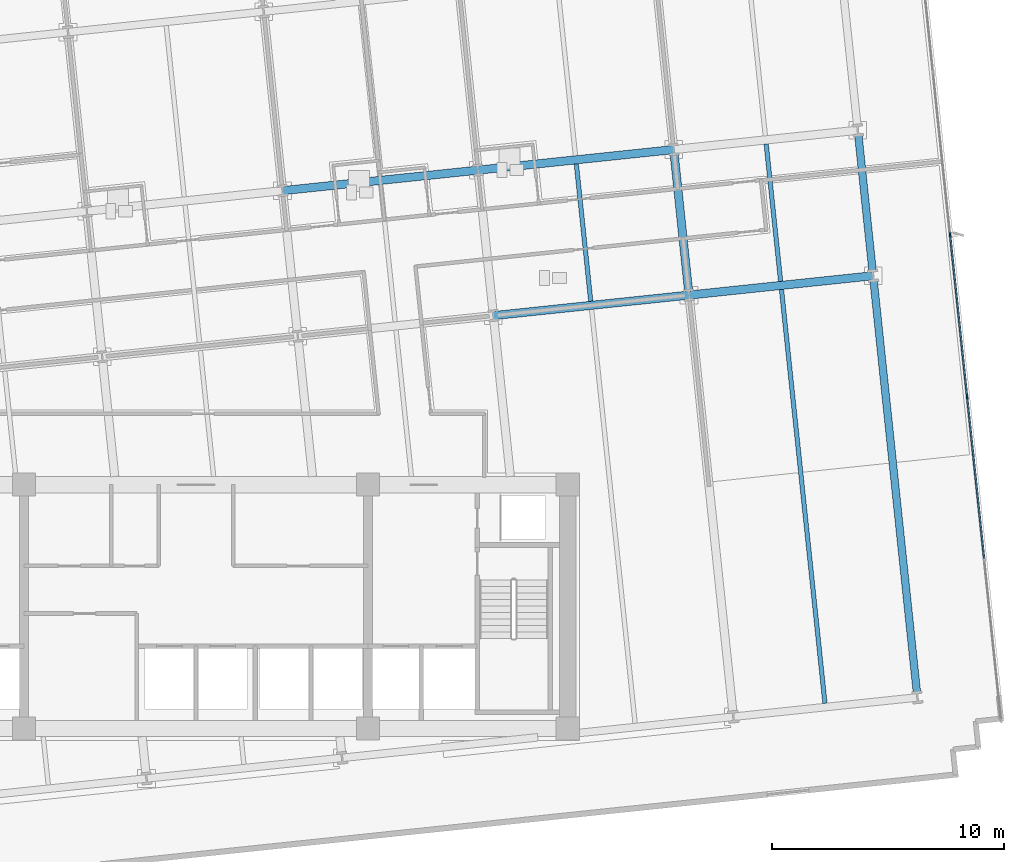
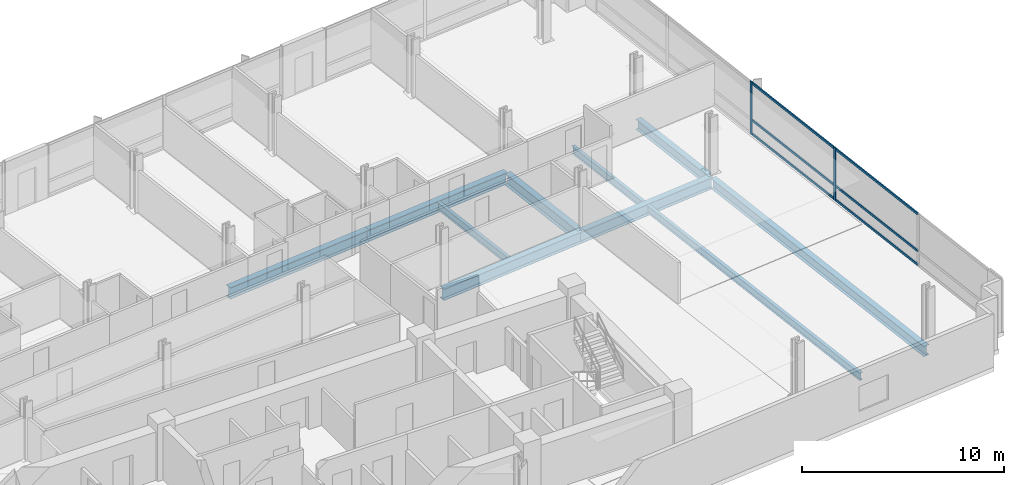
# One storey, part 5 of 17: 10 beams, 8 members, 1 element without a shape of its own.
"""IFC4 building model written with IfcOpenShell, lengths in metres."""

import ifcopenshell
import ifcopenshell.guid

model = None  # the IFC model being written
_history = None  # IfcOwnerHistory: only IFC2X3 demands one
_inside = {}  # id of a spatial element -> (the spatial element, [elements in it])
_under = {}  # id of a project, library or spatial element -> (it, [spatial elements below it])
_declared = {}  # id of a project -> (the project, [libraries it declares])
_typed = {}  # id of a type object -> (the type object, [elements of that type])
_made_of = {}  # id of a material, layer set ... -> (it, [elements and type objects made of it])


def new_model(schema):
    """Start an empty IFC model of exactly this schema.

    Asked for "IFC4X3", IfcOpenShell would pick the latest addendum, in which some entities
    have other attributes; the version numbers below select the first issue.
    IFC2X3 requires an IfcOwnerHistory on every rooted entity: one is made here for all.
    """
    global model, _history
    if schema == "IFC4X3":
        model = ifcopenshell.file(schema_version=(4, 3, 0, 0))
    else:
        model = ifcopenshell.file(schema=schema)
    _inside.clear()
    _under.clear()
    _declared.clear()
    _typed.clear()
    _made_of.clear()
    _history = None
    if model.schema == "IFC2X3":
        org = make("IfcOrganization", Name="unknown")
        user = make(
            "IfcPersonAndOrganization",
            ThePerson=make("IfcPerson", FamilyName="unknown"),
            TheOrganization=org,
        )
        app = make(
            "IfcApplication",
            ApplicationDeveloper=org,
            Version="unknown",
            ApplicationFullName="unknown",
            ApplicationIdentifier="unknown",
        )
        _history = make(
            "IfcOwnerHistory",
            OwningUser=user,
            OwningApplication=app,
            ChangeAction="ADDED",
            CreationDate=0,
        )
    return model


def make(cls, **values):
    """One entity of the class cls with the attributes given. An attribute that is None is left unset."""
    return model.create_entity(
        cls, **{name: value for name, value in values.items() if value is not None}
    )


def rooted(cls, **values):
    """An entity with a GlobalId (a new one), such as an element, a storey or a relation."""
    return make(cls, GlobalId=ifcopenshell.guid.new(), OwnerHistory=_history, **values)


def si_unit(unit_type, name, prefix=None):
    """IfcSIUnit, for example si_unit("LENGTHUNIT", "METRE", prefix="MILLI")."""
    return make("IfcSIUnit", UnitType=unit_type, Prefix=prefix, Name=name)


def assignment(units):
    """IfcUnitAssignment: the units of a project."""
    return None if units is None else make("IfcUnitAssignment", Units=units)


def point(xyz):
    """IfcCartesianPoint."""
    return None if xyz is None else make("IfcCartesianPoint", Coordinates=xyz)


def direction(xyz):
    """IfcDirection."""
    return None if xyz is None else make("IfcDirection", DirectionRatios=xyz)


def frame(location, z_axis=None, x_axis=None):
    """IfcAxis2Placement3D, a coordinate frame: its origin and axes. An axis left out is left unset."""
    return make(
        "IfcAxis2Placement3D",
        Location=point(location),
        Axis=direction(z_axis),
        RefDirection=direction(x_axis),
    )


def frame_2d(location, x_axis=None):
    """IfcAxis2Placement2D, a coordinate frame in the plane: its origin and x axis."""
    return make(
        "IfcAxis2Placement2D", Location=point(location), RefDirection=direction(x_axis)
    )


def origin():
    """The frame at (0, 0, 0) with its axes left unset."""
    return frame((0.0, 0.0, 0.0))


def origin_2d():
    """The frame at (0, 0) in the plane with its x axis left unset."""
    return frame_2d((0.0, 0.0))


def place(relative_to, where):
    """IfcLocalPlacement: puts the frame where relative to a parent placement (None: the world)."""
    return make(
        "IfcLocalPlacement", PlacementRelTo=relative_to, RelativePlacement=where
    )


def context(
    kind, dimensions, precision=None, world=None, true_north=None, identifier=None
):
    """IfcGeometricRepresentationContext, for example the 3D "Model" context."""
    return make(
        "IfcGeometricRepresentationContext",
        ContextIdentifier=identifier,
        ContextType=kind,
        CoordinateSpaceDimension=dimensions,
        Precision=precision,
        WorldCoordinateSystem=world,
        TrueNorth=true_north,
    )


def subcontext(parent, identifier, kind, view, scale=None):
    """IfcGeometricRepresentationSubContext, for example "Body" below "Model"."""
    return make(
        "IfcGeometricRepresentationSubContext",
        ContextIdentifier=identifier,
        ContextType=kind,
        ParentContext=parent,
        TargetScale=scale,
        TargetView=view,
    )


def project(units=None, contexts=None):
    """IfcProject with its units and contexts."""
    return rooted(
        "IfcProject",
        Name="project",
        RepresentationContexts=contexts,
        UnitsInContext=assignment(units),
    )


def spatial(cls, under=None, at=None, **own):
    """A site, building, storey or space (cls), placed at a placement, below another one or the project."""
    s = rooted(cls, ObjectPlacement=at, **own)
    if under is not None:
        _under.setdefault(under.id(), (under, []))[1].append(s)
    return s


def profile(cls, at=None, kind="AREA", **sizes):
    """A parametric profile (cls). Its sizes go by their IFC names, for example OverallWidth=200.0."""
    return make(cls, ProfileType=kind, Position=at, **sizes)


def rectangle(**sizes):
    """IfcRectangleProfileDef."""
    return profile("IfcRectangleProfileDef", **sizes)


def i_section(**sizes):
    """IfcIShapeProfileDef."""
    return profile("IfcIShapeProfileDef", **sizes)


def extrude(swept, where, along, depth):
    """IfcExtrudedAreaSolid: the profile swept, set in the frame where, extruded along a direction by depth."""
    return make(
        "IfcExtrudedAreaSolid",
        SweptArea=swept,
        Position=where,
        ExtrudedDirection=direction(along),
        Depth=depth,
    )


def shape(context_of_items, identifier, shape_type, items):
    """IfcShapeRepresentation: the items that make up one representation, for example the "Body"."""
    return make(
        "IfcShapeRepresentation",
        ContextOfItems=context_of_items,
        RepresentationIdentifier=identifier,
        RepresentationType=shape_type,
        Items=items,
    )


def material(Name=None, Category=None):
    """IfcMaterial."""
    return make("IfcMaterial", Name=Name, Category=Category)


def material_profile(
    of_material, cross_section, Name=None, Category=None, Priority=None
):
    """IfcMaterialProfile: a cross section and its material."""
    return make(
        "IfcMaterialProfile",
        Name=Name,
        Material=of_material,
        Profile=cross_section,
        Priority=Priority,
        Category=Category,
    )


def profile_set(profiles, Name=None, composite=None):
    """IfcMaterialProfileSet."""
    return make(
        "IfcMaterialProfileSet",
        Name=Name,
        MaterialProfiles=profiles,
        CompositeProfile=composite,
    )


def made_of(thing, what):
    """Note that an element or type object is made of a material, layer set ...; save() writes the relation."""
    if what is not None:
        _made_of.setdefault(what.id(), (what, []))[1].append(thing)
    return thing


def type_object(cls, material=None, **own):
    """A type object (cls), such as IfcWallType, which elements share."""
    return made_of(rooted(cls, **own), material)


def element(
    cls,
    number,
    at=None,
    inside=None,
    cuts=None,
    type_object=None,
    material=None,
    context=None,
    identifier="Body",
    shape_type=None,
    held_by="IfcProductDefinitionShape",
    body=None,
    shapes=None,
    **own,
):
    """One element of the class cls, such as IfcWall. Its Tag is "e" and its number.

    at: its placement. inside: the storey or other place that contains it. cuts: it is an
    opening in that element (IfcRelVoidsElement). A single representation is given by context,
    identifier, shape_type and body (its items); several are given by shapes. held_by: the class
    of the entity that holds the representations. save() writes the other relations.
    """
    e = rooted(cls, Tag="e%d" % number, ObjectPlacement=at, **own)
    if body is not None:
        shapes = [shape(context, identifier, shape_type, body)]
    if shapes is not None:
        e.Representation = make(held_by, Representations=shapes)
    if inside is not None:
        _inside.setdefault(inside.id(), (inside, []))[1].append(e)
    if cuts is not None:
        rooted(
            "IfcRelVoidsElement", RelatingBuildingElement=cuts, RelatedOpeningElement=e
        )
    if type_object is not None:
        _typed.setdefault(type_object.id(), (type_object, []))[1].append(e)
    return made_of(e, material)


def aggregate(whole, parts):
    """IfcRelAggregates: a whole, such as a stair, and the parts it consists of."""
    return rooted("IfcRelAggregates", RelatingObject=whole, RelatedObjects=parts)


def save(model, path):
    """Write the relations noted so far, then the file.

    IfcRelAggregates (storeys below a building ...), IfcRelContainedInSpatialStructure (elements
    in a storey), IfcRelDefinesByType, IfcRelAssociatesMaterial and IfcRelDeclares: one each for
    every whole, place, type object, material and project.
    """
    for whole, parts in _under.values():
        aggregate(whole, parts)
    for where, things in _inside.values():
        rooted(
            "IfcRelContainedInSpatialStructure",
            RelatedElements=things,
            RelatingStructure=where,
        )
    for kind, things in _typed.values():
        rooted("IfcRelDefinesByType", RelatedObjects=things, RelatingType=kind)
    for what, things in _made_of.values():
        rooted("IfcRelAssociatesMaterial", RelatedObjects=things, RelatingMaterial=what)
    for by, libraries in _declared.values():
        rooted("IfcRelDeclares", RelatingContext=by, RelatedDefinitions=libraries)
    model.write(path)


model = new_model("IFC4")

# Units and contexts
model_context = context("Model", 3, precision=1e-05, world=origin(), true_north=direction((0.0, 1.0)))
body_context = subcontext(model_context, "Body", "Model", "MODEL_VIEW")
ifc_project = project(units=[si_unit("LENGTHUNIT", "METRE"), si_unit("AREAUNIT", "SQUARE_METRE"), si_unit("VOLUMEUNIT", "CUBIC_METRE"), si_unit("PLANEANGLEUNIT", "RADIAN"), si_unit("MASSUNIT", "GRAM", prefix="KILO")], contexts=[model_context])

# Site, building, storey
site_placement = place(None, origin())
site = spatial("IfcSite", under=ifc_project, at=site_placement, CompositionType="ELEMENT")
building_placement = place(site_placement, origin())
building = spatial("IfcBuilding", under=site, at=building_placement, Name="Solmavex Isthmus Hotel", CompositionType="ELEMENT")
storey_placement = place(building_placement, frame((0.0, 0.0, 116.699951171875)))
storey = spatial("IfcBuildingStorey", under=building, at=storey_placement, Name="L31", CompositionType="ELEMENT", Elevation=116.699951171875)

# Beams
ifc_material_1 = material(Name="Steel ASTM A992 Grade 50", Category="steel")
ifc_material_profile_1 = material_profile(ifc_material_1, i_section(OverallWidth=0.354736328125, OverallDepth=0.695556640625, WebThickness=0.015380859375, FlangeThickness=0.02490234375, FilletRadius=0.017822265625, at=origin_2d()), Name="W27X146")
ifc_profile_set_1 = profile_set([ifc_material_profile_1], Name="Steel ASTM A992 Grade 50")
beam_type_1 = type_object("IfcBeamType", Name="BM-BG-W27X146", PredefinedType="BEAM", material=ifc_profile_set_1)
beam_1_placement = place(storey_placement, frame((12.800048828125, 4.7734375, -0.607666015625), z_axis=(0.994521085209, 0.104536171134, 0.0), x_axis=(-0.104536171134, 0.994521085209, 0.0)))
element("IfcBeam", 1, at=beam_1_placement, inside=storey, type_object=beam_type_1, Name="Floor Girder L31-UG11", PredefinedType="BEAM", context=body_context, shape_type="SweptSolid", body=[
    extrude(i_section(OverallWidth=0.354736328125, OverallDepth=0.695556640625, WebThickness=0.015380859375, FlangeThickness=0.02490234375, FilletRadius=0.017822265625, at=origin_2d()), origin(), (0.0, 0.0, 1.0), 8.466064453125),
])
beam_2_placement = place(storey_placement, frame((21.2197265625, 5.658447265625, -0.607666015625), z_axis=(0.994523402738, 0.104514120609, 0.0), x_axis=(-0.104514120609, 0.994523402738, 0.0)))
element("IfcBeam", 2, at=beam_2_placement, inside=storey, type_object=beam_type_1, Name="Floor Girder L31-UG12", PredefinedType="BEAM", context=body_context, shape_type="SweptSolid", body=[
    extrude(i_section(OverallWidth=0.354736328125, OverallDepth=0.695556640625, WebThickness=0.015380859375, FlangeThickness=0.02490234375, FilletRadius=0.017822265625, at=origin_2d()), origin(), (0.0, 0.0, 1.0), 7.968017578125),
])
for number, where, z_axis, x_axis, name in (
    (3, (3.72216796875, 10.152099609375, -0.607666015625), (0.994524082861, 0.104507648572, 0.0), (-0.104507648572, 0.994524082861, 0.0), "Floor Girder L31-UG16"),
    (4, (12.141845703125, 11.036865234375, -0.607666015625), (0.994521085209, 0.104536171134, 0.0), (-0.104536171134, 0.994521085209, 0.0), "Floor Girder L31-UG17"),
):
    element("IfcBeam", number, at=place(storey_placement, frame(where, z_axis=z_axis, x_axis=x_axis)), inside=storey, type_object=beam_type_1, Name=name, PredefinedType="BEAM", context=body_context, shape_type="SweptSolid", body=[
        extrude(i_section(OverallWidth=0.354736328125, OverallDepth=0.695556640625, WebThickness=0.015380859375, FlangeThickness=0.02490234375, FilletRadius=0.017822265625, at=origin_2d()), origin(), (0.0, 0.0, 1.0), 8.466064453125),
    ])
beam_3_placement = place(storey_placement, frame((21.201171875, 5.834716796875, -0.607666015625), z_axis=(-0.104505160346, 0.994524344328, 0.0), x_axis=(-0.994524344328, -0.104505160346, 0.0)))
element("IfcBeam", 5, at=beam_3_placement, inside=storey, type_object=beam_type_1, Name="Floor Beam L31-VG44", PredefinedType="BEAM", context=body_context, shape_type="SweptSolid", body=[
    extrude(i_section(OverallWidth=0.354736328125, OverallDepth=0.695556640625, WebThickness=0.015380859375, FlangeThickness=0.02490234375, FilletRadius=0.017822265625, at=origin_2d()), origin(), (0.0, 0.0, 1.0), 5.943115234375),
])
ifc_material_profile_2 = material_profile(ifc_material_1, i_section(OverallWidth=0.1904296875, OverallDepth=0.456787109375, WebThickness=0.009033203125, FlangeThickness=0.014404296875, FilletRadius=0.0126953125, at=origin_2d()), Name="W18X50")
ifc_profile_set_2 = profile_set([ifc_material_profile_2], Name="Steel ASTM A992 Grade 50")
beam_type_2 = type_object("IfcBeamType", Name="BM-BJ-W18X50", PredefinedType="JOIST", material=ifc_profile_set_2)
beam_4_placement = place(storey_placement, frame((16.991455078125, 5.392333984375, -0.48828125), z_axis=(-0.104545790518, 0.994520074048, 0.0), x_axis=(-0.994520074048, -0.104545790518, 0.0)))
element("IfcBeam", 6, at=beam_4_placement, inside=storey, type_object=beam_type_2, Name="Secondary Floor Joist L31-J17", PredefinedType="JOIST", context=body_context, shape_type="SweptSolid", body=[
    extrude(i_section(OverallWidth=0.1904296875, OverallDepth=0.456787109375, WebThickness=0.009033203125, FlangeThickness=0.014404296875, FilletRadius=0.0126953125, at=origin_2d()), origin(), (0.0, 0.0, 1.0), 5.943115234375),
])
beam_5_placement = place(storey_placement, frame((27.072509765625, -11.912841796875, -0.48828125), z_axis=(-0.104530088192, 0.99452172458, 0.0), x_axis=(-0.99452172458, -0.104530088192, 0.0)))
element("IfcBeam", 7, at=beam_5_placement, inside=storey, type_object=beam_type_2, Name="Secondary Floor Joist L31-J19", PredefinedType="JOIST", context=body_context, shape_type="SweptSolid", body=[
    extrude(i_section(OverallWidth=0.1904296875, OverallDepth=0.456787109375, WebThickness=0.009033203125, FlangeThickness=0.014404296875, FilletRadius=0.0126953125, at=origin_2d()), origin(), (0.0, 0.0, 1.0), 17.909423828125),
])
beam_6_placement = place(storey_placement, frame((25.163330078125, 6.251220703125, -0.48828125), z_axis=(-0.104505160346, 0.994524344328, 0.0), x_axis=(-0.994524344328, -0.104505160346, 0.0)))
element("IfcBeam", 8, at=beam_6_placement, inside=storey, type_object=beam_type_2, Name="Secondary Floor Joist L31-J20", PredefinedType="JOIST", context=body_context, shape_type="SweptSolid", body=[
    extrude(i_section(OverallWidth=0.1904296875, OverallDepth=0.456787109375, WebThickness=0.009033203125, FlangeThickness=0.014404296875, FilletRadius=0.0126953125, at=origin_2d()), origin(), (0.0, 0.0, 1.0), 5.943115234375),
])
ifc_material_profile_3 = material_profile(ifc_material_1, i_section(OverallWidth=0.326416015625, OverallDepth=0.621826171875, WebThickness=0.015380859375, FlangeThickness=0.0244140625, FilletRadius=0.01513671875, at=origin_2d()), Name="W24X131")
ifc_profile_set_3 = profile_set([ifc_material_profile_3], Name="Steel ASTM A992 Grade 50")
beam_type_3 = type_object("IfcBeamType", Name="BM-SP-W24X131", PredefinedType="SPANDREL", material=ifc_profile_set_3)
beam_7_placement = place(storey_placement, frame((31.03466796875, -11.496337890625, -0.57080078125), z_axis=(-0.104530088192, 0.99452172458, 0.0), x_axis=(-0.99452172458, -0.104530088192, 0.0)))
element("IfcBeam", 9, at=beam_7_placement, inside=storey, type_object=beam_type_3, Name="Floor Beam L31-VG46", PredefinedType="SPANDREL", context=body_context, shape_type="SweptSolid", body=[
    extrude(i_section(OverallWidth=0.326416015625, OverallDepth=0.621826171875, WebThickness=0.015380859375, FlangeThickness=0.0244140625, FilletRadius=0.01513671875, at=origin_2d()), origin(), (0.0, 0.0, 1.0), 17.909423828125),
])
beam_8_placement = place(storey_placement, frame((29.12548828125, 6.667724609375, -0.57080078125), z_axis=(-0.104505160346, 0.994524344328, 0.0), x_axis=(-0.994524344328, -0.104505160346, 0.0)))
element("IfcBeam", 10, at=beam_8_placement, inside=storey, type_object=beam_type_3, Name="Floor Beam L31-VG47", PredefinedType="SPANDREL", context=body_context, shape_type="SweptSolid", body=[
    extrude(i_section(OverallWidth=0.326416015625, OverallDepth=0.621826171875, WebThickness=0.015380859375, FlangeThickness=0.0244140625, FilletRadius=0.01513671875, at=origin_2d()), origin(), (0.0, 0.0, 1.0), 5.943115234375),
])

# Curtain wall, members
ifc_material_2 = material(Name="Aluminium alloy 6063-T6", Category="aluminium")
curtain_wall_type = type_object("IfcCurtainWallType", Name="CW-SYS-03", PredefinedType="NOTDEFINED", material=ifc_material_2)
curtain_wall_placement = place(storey_placement, origin())
curtain_wall = element("IfcCurtainWall", 11, at=curtain_wall_placement, inside=storey, type_object=curtain_wall_type, Name="Stick Curtain Wall CWL-L31-E1", PredefinedType="NOTDEFINED")
ifc_material_profile_4 = material_profile(ifc_material_2, rectangle(XDim=0.070068359375, YDim=0.179931640625, at=origin_2d()), Name="CWM-70X180")
ifc_profile_set_4 = profile_set([ifc_material_profile_4], Name="Aluminium alloy 6063-T6")
member_type_1 = type_object("IfcMemberType", Name="CW-SYS-03-MUL", PredefinedType="MULLION", material=ifc_profile_set_4)
member_1_placement = place(storey_placement, frame((33.19140625, 1.275634765625, 0.0), z_axis=(0.0, 0.0, 1.0), x_axis=(-0.994521893044, -0.104528485381, 0.0)))
member_1 = element("IfcMember", 12, at=member_1_placement, type_object=member_type_1, Name="CW-03 mullion 3", PredefinedType="MULLION", context=body_context, shape_type="SweptSolid", body=[
    extrude(rectangle(XDim=0.070068359375, YDim=0.179931640625, at=origin_2d()), origin(), (0.0, 0.0, 1.0), 3.18994140625),
])
member_2_placement = place(storey_placement, frame((32.45751953125, 8.25732421875, 0.0), z_axis=(0.0, 0.0, 1.0), x_axis=(-0.994521893044, -0.104528485381, 0.0)))
member_2 = element("IfcMember", 13, at=member_2_placement, type_object=member_type_1, Name="CW-03 mullion 4", PredefinedType="MULLION", context=body_context, shape_type="SweptSolid", body=[
    extrude(rectangle(XDim=0.070068359375, YDim=0.179931640625, at=origin_2d()), origin(), (0.0, 0.0, 1.0), 3.18994140625),
])
ifc_material_profile_5 = material_profile(ifc_material_2, rectangle(XDim=0.070068359375, YDim=0.139892578125, at=origin_2d()), Name="CWT-70X140")
ifc_profile_set_5 = profile_set([ifc_material_profile_5], Name="Aluminium alloy 6063-T6")
member_type_2 = type_object("IfcMemberType", Name="CW-SYS-03-TRN", PredefinedType="USERDEFINED", material=ifc_profile_set_5)
member_3_placement = place(storey_placement, frame((33.921630859375, -5.6708984375, 0.070068359375), z_axis=(-0.104542152467, 0.99452045648, 0.0), x_axis=(-0.99452045648, -0.104542152467, 0.0)))
member_3 = element("IfcMember", 14, at=member_3_placement, type_object=member_type_2, Name="CW-03 transom 2.1", ObjectType="TRANSOM", PredefinedType="USERDEFINED", context=body_context, shape_type="SweptSolid", body=[
    extrude(rectangle(XDim=0.070068359375, YDim=0.139892578125, at=origin_2d()), origin(), (0.0, 0.0, 1.0), 6.949951171875),
])
member_4_placement = place(storey_placement, frame((33.921630859375, -5.6708984375, 0.900146484375), z_axis=(-0.104542152467, 0.99452045648, 0.0), x_axis=(-0.99452045648, -0.104542152467, 0.0)))
member_4 = element("IfcMember", 15, at=member_4_placement, type_object=member_type_2, Name="CW-03 transom 2.2", ObjectType="TRANSOM", PredefinedType="USERDEFINED", context=body_context, shape_type="SweptSolid", body=[
    extrude(rectangle(XDim=0.070068359375, YDim=0.139892578125, at=origin_2d()), origin(), (0.0, 0.0, 1.0), 6.949951171875),
])
member_5_placement = place(storey_placement, frame((33.921630859375, -5.6708984375, 3.1201171875), z_axis=(-0.104542152467, 0.99452045648, 0.0), x_axis=(-0.99452045648, -0.104542152467, 0.0)))
member_5 = element("IfcMember", 16, at=member_5_placement, type_object=member_type_2, Name="CW-03 transom 2.3", ObjectType="TRANSOM", PredefinedType="USERDEFINED", context=body_context, shape_type="SweptSolid", body=[
    extrude(rectangle(XDim=0.070068359375, YDim=0.139892578125, at=origin_2d()), origin(), (0.0, 0.0, 1.0), 6.949951171875),
])
member_6_placement = place(storey_placement, frame((33.187744140625, 1.310546875, 0.070068359375), z_axis=(-0.104542152467, 0.99452045648, 0.0), x_axis=(-0.99452045648, -0.104542152467, 0.0)))
member_6 = element("IfcMember", 17, at=member_6_placement, type_object=member_type_2, Name="CW-03 transom 3.1", ObjectType="TRANSOM", PredefinedType="USERDEFINED", context=body_context, shape_type="SweptSolid", body=[
    extrude(rectangle(XDim=0.070068359375, YDim=0.139892578125, at=origin_2d()), origin(), (0.0, 0.0, 1.0), 6.949951171875),
])
member_7_placement = place(storey_placement, frame((33.187744140625, 1.310546875, 0.900146484375), z_axis=(-0.104542152467, 0.99452045648, 0.0), x_axis=(-0.99452045648, -0.104542152467, 0.0)))
member_7 = element("IfcMember", 18, at=member_7_placement, type_object=member_type_2, Name="CW-03 transom 3.2", ObjectType="TRANSOM", PredefinedType="USERDEFINED", context=body_context, shape_type="SweptSolid", body=[
    extrude(rectangle(XDim=0.070068359375, YDim=0.139892578125, at=origin_2d()), origin(), (0.0, 0.0, 1.0), 6.949951171875),
])
member_8_placement = place(storey_placement, frame((33.187744140625, 1.310546875, 3.1201171875), z_axis=(-0.104542152467, 0.99452045648, 0.0), x_axis=(-0.99452045648, -0.104542152467, 0.0)))
member_8 = element("IfcMember", 19, at=member_8_placement, type_object=member_type_2, Name="CW-03 transom 3.3", ObjectType="TRANSOM", PredefinedType="USERDEFINED", context=body_context, shape_type="SweptSolid", body=[
    extrude(rectangle(XDim=0.070068359375, YDim=0.139892578125, at=origin_2d()), origin(), (0.0, 0.0, 1.0), 6.949951171875),
])
aggregate(curtain_wall, [member_1, member_2, member_3, member_4, member_5, member_6, member_7, member_8])

save(model, "model.ifc")
